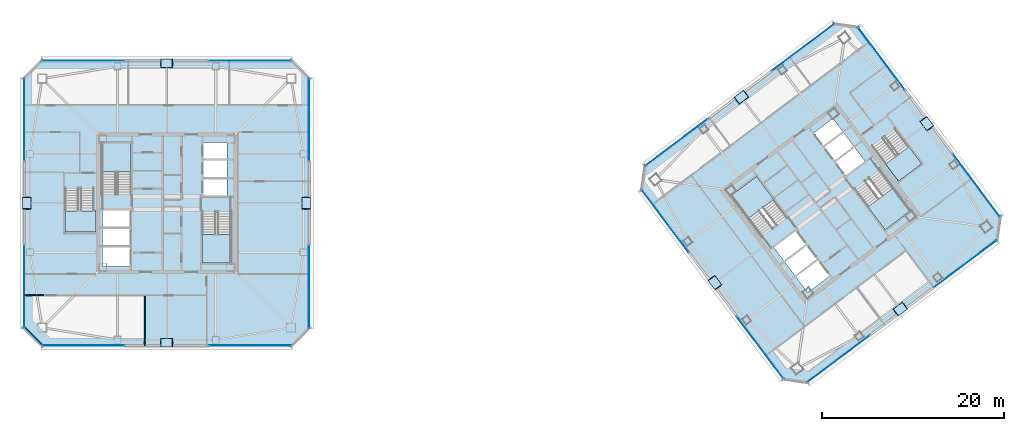
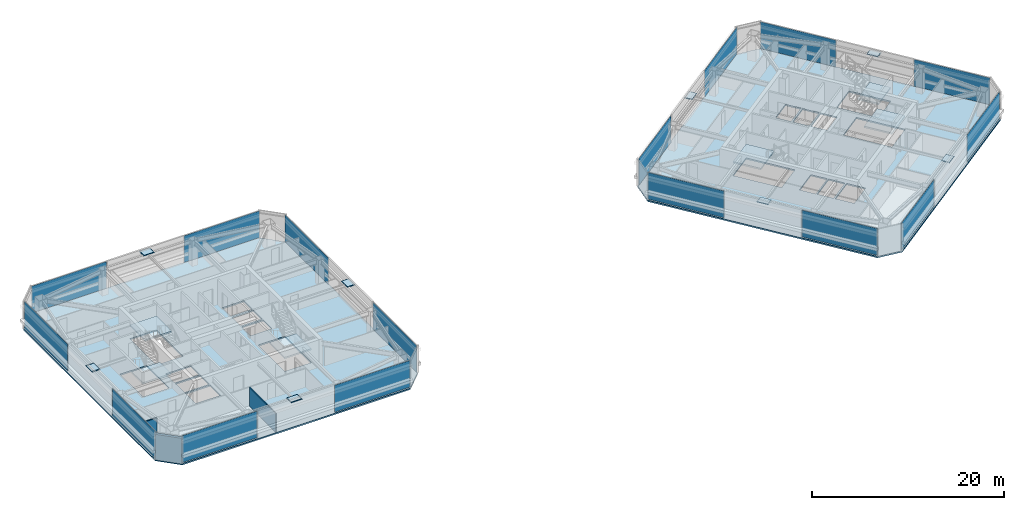
# One storey, part 28 of 39: 32 plates, 8 slabs, 3 walls, 22 elements without a shape of their own.
"""IFC4 building model written with IfcOpenShell, lengths in metres."""

from ifc_helpers import new_model, si_unit, direction, frame, frame_2d, origin, origin_2d, place, context, subcontext, project, spatial, polyline, rectangle, outline, extrude, material, layer, layer_set, type_object, element, aggregate, save


model = new_model("IFC4")

# Units and contexts
model_context = context("Model", 3, precision=1e-05, world=origin(), true_north=direction((0.0, 1.0)))
body_context = subcontext(model_context, "Body", "Model", "MODEL_VIEW")
ifc_project = project(units=[si_unit("LENGTHUNIT", "METRE"), si_unit("AREAUNIT", "SQUARE_METRE"), si_unit("VOLUMEUNIT", "CUBIC_METRE"), si_unit("PLANEANGLEUNIT", "RADIAN"), si_unit("MASSUNIT", "GRAM", prefix="KILO")], contexts=[model_context])

# Site, building, storey
site_placement = place(None, origin())
site = spatial("IfcSite", under=ifc_project, at=site_placement, CompositionType="ELEMENT")
building_placement = place(site_placement, origin())
building = spatial("IfcBuilding", under=site, at=building_placement, Name="Tashvorn Skyway Center", CompositionType="ELEMENT")
storey_placement = place(building_placement, frame((0.0, 0.0, 243.25)))
storey = spatial("IfcBuildingStorey", under=building, at=storey_placement, Name="L66", CompositionType="ELEMENT", Elevation=243.25)

# Curtain wall, plate
ifc_material_1 = material(Name="Thermally broken bronze-anodized aluminium 6063-T6", Category="aluminium")
curtain_wall_type = type_object("IfcCurtainWallType", Name="CW-CW-Z5", PredefinedType="NOTDEFINED", material=ifc_material_1)
curtain_wall_1_placement = place(storey_placement, origin())
curtain_wall_1 = element("IfcCurtainWall", 1, at=curtain_wall_1_placement, inside=storey, type_object=curtain_wall_type, Name="Tower 1 L66 South Unitised Curtain Wall Glazing Group 1", PredefinedType="NOTDEFINED")
ifc_material_2 = material(Name="Low-E solar-control double insulating safety glass", Category="glass")
ifc_layer_1 = layer(ifc_material_2, 0.031982421875)
ifc_layer_set_1 = layer_set([ifc_layer_1], Name="Low-E solar-control double insulating safety glass")
plate_type_1 = type_object("IfcPlateType", Name="CWP-CW-Z5", PredefinedType="CURTAIN_PANEL", material=ifc_layer_set_1)
plate_1_placement = place(storey_placement, frame((51.186767578125, 16.320068359375, 0.06982421875), z_axis=(0.0, 0.0, 1.0), x_axis=(-1.0, 0.0, 0.0)))
plate_1 = element("IfcPlate", 2, at=plate_1_placement, type_object=plate_type_1, Name="CW-Z5 panel 1.1", PredefinedType="CURTAIN_PANEL", context=body_context, shape_type="SweptSolid", body=[
    extrude(rectangle(XDim=9.046630859375, YDim=0.031982421875, at=origin_2d()), origin(), (0.0, 0.0, 1.0), 3.409912109375),
])
aggregate(curtain_wall_1, [plate_1])

curtain_wall_2_placement = place(storey_placement, origin())
curtain_wall_2 = element("IfcCurtainWall", 3, at=curtain_wall_2_placement, inside=storey, type_object=curtain_wall_type, Name="Tower 1 L66 South Unitised Curtain Wall Glazing Group 2", PredefinedType="NOTDEFINED")
plate_2_placement = place(storey_placement, frame((32.813232421875, 16.320068359375, 0.06982421875), z_axis=(0.0, 0.0, 1.0), x_axis=(-1.0, 0.0, 0.0)))
plate_2 = element("IfcPlate", 4, at=plate_2_placement, type_object=plate_type_1, Name="CW-Z5 panel 1.1", PredefinedType="CURTAIN_PANEL", context=body_context, shape_type="SweptSolid", body=[
    extrude(rectangle(XDim=9.046630859375, YDim=0.031982421875, at=origin_2d()), origin(), (0.0, 0.0, 1.0), 3.409912109375),
])
aggregate(curtain_wall_2, [plate_2])

curtain_wall_3_placement = place(storey_placement, origin())
curtain_wall_3 = element("IfcCurtainWall", 5, at=curtain_wall_3_placement, inside=storey, type_object=curtain_wall_type, Name="Tower 1 L66 West Unitised Curtain Wall Glazing Group 1", PredefinedType="NOTDEFINED")
plate_3_placement = place(storey_placement, frame((26.320068359375, 22.813232421875, 0.06982421875), z_axis=(0.0, 0.0, 1.0), x_axis=(0.0, 1.0, 0.0)))
plate_3 = element("IfcPlate", 6, at=plate_3_placement, type_object=plate_type_1, Name="CW-Z5 panel 1.1", PredefinedType="CURTAIN_PANEL", context=body_context, shape_type="SweptSolid", body=[
    extrude(rectangle(XDim=9.046630859375, YDim=0.031982421875, at=origin_2d()), origin(), (0.0, 0.0, 1.0), 3.409912109375),
])
aggregate(curtain_wall_3, [plate_3])

curtain_wall_4_placement = place(storey_placement, origin())
curtain_wall_4 = element("IfcCurtainWall", 7, at=curtain_wall_4_placement, inside=storey, type_object=curtain_wall_type, Name="Tower 1 L66 West Unitised Curtain Wall Glazing Group 2", PredefinedType="NOTDEFINED")
plate_4_placement = place(storey_placement, frame((26.320068359375, 41.186767578125, 0.06982421875), z_axis=(0.0, 0.0, 1.0), x_axis=(0.0, 1.0, 0.0)))
plate_4 = element("IfcPlate", 8, at=plate_4_placement, type_object=plate_type_1, Name="CW-Z5 panel 1.1", PredefinedType="CURTAIN_PANEL", context=body_context, shape_type="SweptSolid", body=[
    extrude(rectangle(XDim=9.046630859375, YDim=0.031982421875, at=origin_2d()), origin(), (0.0, 0.0, 1.0), 3.409912109375),
])
aggregate(curtain_wall_4, [plate_4])

curtain_wall_5_placement = place(storey_placement, origin())
curtain_wall_5 = element("IfcCurtainWall", 9, at=curtain_wall_5_placement, inside=storey, type_object=curtain_wall_type, Name="Tower 1 L66 North Unitised Curtain Wall Glazing Group 1", PredefinedType="NOTDEFINED")
plate_5_placement = place(storey_placement, frame((32.813232421875, 47.679931640625, 0.06982421875), z_axis=(0.0, 0.0, 1.0), x_axis=(1.0, 0.0, 0.0)))
plate_5 = element("IfcPlate", 10, at=plate_5_placement, type_object=plate_type_1, Name="CW-Z5 panel 1.1", PredefinedType="CURTAIN_PANEL", context=body_context, shape_type="SweptSolid", body=[
    extrude(rectangle(XDim=9.046630859375, YDim=0.031982421875, at=origin_2d()), origin(), (0.0, 0.0, 1.0), 3.409912109375),
])
aggregate(curtain_wall_5, [plate_5])

curtain_wall_6_placement = place(storey_placement, origin())
curtain_wall_6 = element("IfcCurtainWall", 11, at=curtain_wall_6_placement, inside=storey, type_object=curtain_wall_type, Name="Tower 1 L66 North Unitised Curtain Wall Glazing Group 2", PredefinedType="NOTDEFINED")
plate_6_placement = place(storey_placement, frame((51.186767578125, 47.679931640625, 0.06982421875), z_axis=(0.0, 0.0, 1.0), x_axis=(1.0, 0.0, 0.0)))
plate_6 = element("IfcPlate", 12, at=plate_6_placement, type_object=plate_type_1, Name="CW-Z5 panel 1.1", PredefinedType="CURTAIN_PANEL", context=body_context, shape_type="SweptSolid", body=[
    extrude(rectangle(XDim=9.046630859375, YDim=0.031982421875, at=origin_2d()), origin(), (0.0, 0.0, 1.0), 3.409912109375),
])
aggregate(curtain_wall_6, [plate_6])

curtain_wall_7_placement = place(storey_placement, origin())
curtain_wall_7 = element("IfcCurtainWall", 13, at=curtain_wall_7_placement, inside=storey, type_object=curtain_wall_type, Name="Tower 1 L66 East Unitised Curtain Wall Glazing Group 1", PredefinedType="NOTDEFINED")
plate_7_placement = place(storey_placement, frame((57.679931640625, 41.186767578125, 0.06982421875), z_axis=(0.0, 0.0, 1.0), x_axis=(0.0, -1.0, 0.0)))
plate_7 = element("IfcPlate", 14, at=plate_7_placement, type_object=plate_type_1, Name="CW-Z5 panel 1.1", PredefinedType="CURTAIN_PANEL", context=body_context, shape_type="SweptSolid", body=[
    extrude(rectangle(XDim=9.046630859375, YDim=0.031982421875, at=origin_2d()), origin(), (0.0, 0.0, 1.0), 3.409912109375),
])
aggregate(curtain_wall_7, [plate_7])

curtain_wall_8_placement = place(storey_placement, origin())
curtain_wall_8 = element("IfcCurtainWall", 15, at=curtain_wall_8_placement, inside=storey, type_object=curtain_wall_type, Name="Tower 1 L66 East Unitised Curtain Wall Glazing Group 2", PredefinedType="NOTDEFINED")
plate_8_placement = place(storey_placement, frame((57.679931640625, 22.813232421875, 0.06982421875), z_axis=(0.0, 0.0, 1.0), x_axis=(0.0, -1.0, 0.0)))
plate_8 = element("IfcPlate", 16, at=plate_8_placement, type_object=plate_type_1, Name="CW-Z5 panel 1.1", PredefinedType="CURTAIN_PANEL", context=body_context, shape_type="SweptSolid", body=[
    extrude(rectangle(XDim=9.046630859375, YDim=0.031982421875, at=origin_2d()), origin(), (0.0, 0.0, 1.0), 3.409912109375),
])
aggregate(curtain_wall_8, [plate_8])

curtain_wall_9_placement = place(storey_placement, origin())
curtain_wall_9 = element("IfcCurtainWall", 17, at=curtain_wall_9_placement, inside=storey, type_object=curtain_wall_type, Name="Tower 2 L66 South Unitised Curtain Wall Glazing Group 1", PredefinedType="NOTDEFINED")
plate_9_placement = place(storey_placement, frame((129.904052734375, 25.327880859375, 0.06982421875), z_axis=(0.0, 0.0, 1.0), x_axis=(-0.799999999998, -0.600000000002, 0.0)))
plate_9 = element("IfcPlate", 18, at=plate_9_placement, type_object=plate_type_1, Name="CW-Z5 panel 1.1", PredefinedType="CURTAIN_PANEL", context=body_context, shape_type="SweptSolid", body=[
    extrude(rectangle(XDim=8.580078125, YDim=0.031982421875, at=origin_2d()), origin(), (0.0, 0.0, 1.0), 3.409912109375),
])
aggregate(curtain_wall_9, [plate_9])

curtain_wall_10_placement = place(storey_placement, origin())
curtain_wall_10 = element("IfcCurtainWall", 19, at=curtain_wall_10_placement, inside=storey, type_object=curtain_wall_type, Name="Tower 2 L66 South Unitised Curtain Wall Glazing Group 2", PredefinedType="NOTDEFINED")
plate_10_placement = place(storey_placement, frame((115.951904296875, 14.864013671875, 0.06982421875), z_axis=(0.0, 0.0, 1.0), x_axis=(-0.799999999998, -0.600000000002, 0.0)))
plate_10 = element("IfcPlate", 20, at=plate_10_placement, type_object=plate_type_1, Name="CW-Z5 panel 1.1", PredefinedType="CURTAIN_PANEL", context=body_context, shape_type="SweptSolid", body=[
    extrude(rectangle(XDim=8.580078125, YDim=0.031982421875, at=origin_2d()), origin(), (0.0, 0.0, 1.0), 3.409912109375),
])
aggregate(curtain_wall_10, [plate_10])

curtain_wall_11_placement = place(storey_placement, origin())
curtain_wall_11 = element("IfcCurtainWall", 21, at=curtain_wall_11_placement, inside=storey, type_object=curtain_wall_type, Name="Tower 2 L66 West Unitised Curtain Wall Glazing Group 1", PredefinedType="NOTDEFINED")
plate_11_placement = place(storey_placement, frame((107.327880859375, 16.095947265625, 0.06982421875), z_axis=(0.0, 0.0, 1.0), x_axis=(-0.600000000002, 0.799999999998, 0.0)))
plate_11 = element("IfcPlate", 22, at=plate_11_placement, type_object=plate_type_1, Name="CW-Z5 panel 1.1", PredefinedType="CURTAIN_PANEL", context=body_context, shape_type="SweptSolid", body=[
    extrude(rectangle(XDim=8.580078125, YDim=0.031982421875, at=origin_2d()), origin(), (0.0, 0.0, 1.0), 3.409912109375),
])
aggregate(curtain_wall_11, [plate_11])

curtain_wall_12_placement = place(storey_placement, origin())
curtain_wall_12 = element("IfcCurtainWall", 23, at=curtain_wall_12_placement, inside=storey, type_object=curtain_wall_type, Name="Tower 2 L66 West Unitised Curtain Wall Glazing Group 2", PredefinedType="NOTDEFINED")
plate_12_placement = place(storey_placement, frame((96.864013671875, 30.048095703125, 0.06982421875), z_axis=(0.0, 0.0, 1.0), x_axis=(-0.600000000002, 0.799999999998, 0.0)))
plate_12 = element("IfcPlate", 24, at=plate_12_placement, type_object=plate_type_1, Name="CW-Z5 panel 1.1", PredefinedType="CURTAIN_PANEL", context=body_context, shape_type="SweptSolid", body=[
    extrude(rectangle(XDim=8.580078125, YDim=0.031982421875, at=origin_2d()), origin(), (0.0, 0.0, 1.0), 3.409912109375),
])
aggregate(curtain_wall_12, [plate_12])

curtain_wall_13_placement = place(storey_placement, origin())
curtain_wall_13 = element("IfcCurtainWall", 25, at=curtain_wall_13_placement, inside=storey, type_object=curtain_wall_type, Name="Tower 2 L66 North Unitised Curtain Wall Glazing Group 1", PredefinedType="NOTDEFINED")
plate_13_placement = place(storey_placement, frame((98.095947265625, 38.672119140625, 0.06982421875), z_axis=(0.0, 0.0, 1.0), x_axis=(0.799999999998, 0.600000000002, 0.0)))
plate_13 = element("IfcPlate", 26, at=plate_13_placement, type_object=plate_type_1, Name="CW-Z5 panel 1.1", PredefinedType="CURTAIN_PANEL", context=body_context, shape_type="SweptSolid", body=[
    extrude(rectangle(XDim=8.580078125, YDim=0.031982421875, at=origin_2d()), origin(), (0.0, 0.0, 1.0), 3.409912109375),
])
aggregate(curtain_wall_13, [plate_13])

curtain_wall_14_placement = place(storey_placement, origin())
curtain_wall_14 = element("IfcCurtainWall", 27, at=curtain_wall_14_placement, inside=storey, type_object=curtain_wall_type, Name="Tower 2 L66 North Unitised Curtain Wall Glazing Group 2", PredefinedType="NOTDEFINED")
plate_14_placement = place(storey_placement, frame((112.048095703125, 49.135986328125, 0.06982421875), z_axis=(0.0, 0.0, 1.0), x_axis=(0.799999999998, 0.600000000002, 0.0)))
plate_14 = element("IfcPlate", 28, at=plate_14_placement, type_object=plate_type_1, Name="CW-Z5 panel 1.1", PredefinedType="CURTAIN_PANEL", context=body_context, shape_type="SweptSolid", body=[
    extrude(rectangle(XDim=8.580078125, YDim=0.031982421875, at=origin_2d()), origin(), (0.0, 0.0, 1.0), 3.409912109375),
])
aggregate(curtain_wall_14, [plate_14])

curtain_wall_15_placement = place(storey_placement, origin())
curtain_wall_15 = element("IfcCurtainWall", 29, at=curtain_wall_15_placement, inside=storey, type_object=curtain_wall_type, Name="Tower 2 L66 East Unitised Curtain Wall Glazing Group 1", PredefinedType="NOTDEFINED")
plate_15_placement = place(storey_placement, frame((120.672119140625, 47.904052734375, 0.06982421875), z_axis=(0.0, 0.0, 1.0), x_axis=(0.600000000002, -0.799999999998, 0.0)))
plate_15 = element("IfcPlate", 30, at=plate_15_placement, type_object=plate_type_1, Name="CW-Z5 panel 1.1", PredefinedType="CURTAIN_PANEL", context=body_context, shape_type="SweptSolid", body=[
    extrude(rectangle(XDim=8.580078125, YDim=0.031982421875, at=origin_2d()), origin(), (0.0, 0.0, 1.0), 3.409912109375),
])
aggregate(curtain_wall_15, [plate_15])

curtain_wall_16_placement = place(storey_placement, origin())
curtain_wall_16 = element("IfcCurtainWall", 31, at=curtain_wall_16_placement, inside=storey, type_object=curtain_wall_type, Name="Tower 2 L66 East Unitised Curtain Wall Glazing Group 2", PredefinedType="NOTDEFINED")
plate_16_placement = place(storey_placement, frame((131.135986328125, 33.951904296875, 0.06982421875), z_axis=(0.0, 0.0, 1.0), x_axis=(0.600000000002, -0.799999999998, 0.0)))
plate_16 = element("IfcPlate", 32, at=plate_16_placement, type_object=plate_type_1, Name="CW-Z5 panel 1.1", PredefinedType="CURTAIN_PANEL", context=body_context, shape_type="SweptSolid", body=[
    extrude(rectangle(XDim=8.580078125, YDim=0.031982421875, at=origin_2d()), origin(), (0.0, 0.0, 1.0), 3.409912109375),
])
aggregate(curtain_wall_16, [plate_16])

# Plates
ifc_material_3 = material(Name="Steel ASTM A572 Grade 50", Category="steel")
ifc_layer_2 = layer(ifc_material_3, 0.034912109375)
ifc_layer_set_2 = layer_set([ifc_layer_2], Name="Steel ASTM A572 Grade 50")
plate_type_2 = type_object("IfcPlateType", Name="PLT-CAP-35", PredefinedType="USERDEFINED", material=ifc_layer_set_2)
for number, where, z_axis, x_axis, name in (
    (33, (42.0, 16.6201171875, 3.2373046875), (0.0, 0.0, 1.0), (1.0, 0.0, 0.0), "Tower 1 Zone 6 S Hollow-Section End Cap Plate"),
    (34, (57.3798828125, 32.0, 3.2373046875), (0.0, 0.0, 1.0), (0.0, 1.0, 0.0), "Tower 1 Zone 6 E Hollow-Section End Cap Plate"),
    (35, (42.0, 47.3798828125, 3.2373046875), (0.0, 0.0, 1.0), (-1.0, 0.0, 0.0), "Tower 1 Zone 6 N Hollow-Section End Cap Plate"),
    (36, (26.6201171875, 32.0, 3.2373046875), (0.0, 0.0, 1.0), (0.0, -1.0, 0.0), "Tower 1 Zone 6 W Hollow-Section End Cap Plate"),
    (37, (122.748046875, 20.3359375, 3.2373046875), (0.0, 0.0, 1.0), (0.799999996291, 0.600000004945, 0.0), "Tower 2 Zone 6 S Hollow-Section End Cap Plate"),
    (38, (125.6640625, 40.748046875, 3.2373046875), (0.0, 0.0, 1.0), (-0.600000004945, 0.799999996291, 0.0), "Tower 2 Zone 6 E Hollow-Section End Cap Plate"),
    (39, (105.251953125, 43.6640625, 3.2373046875), (0.0, 0.0, 1.0), (-0.799999996291, -0.600000004945, 0.0), "Tower 2 Zone 6 N Hollow-Section End Cap Plate"),
    (40, (102.3359375, 23.251953125, 3.2373046875), (0.0, 0.0, 1.0), (0.600000004945, -0.799999996291, 0.0), "Tower 2 Zone 6 W Hollow-Section End Cap Plate"),
):
    element("IfcPlate", number, at=place(storey_placement, frame(where, z_axis=z_axis, x_axis=x_axis)), inside=storey, type_object=plate_type_2, Name=name, ObjectType="END PLATE", PredefinedType="USERDEFINED", context=body_context, shape_type="SweptSolid", body=[
        extrude(rectangle(XDim=1.199951171875, YDim=0.919921875, at=origin_2d()), origin(), (0.0, 0.0, 1.0), 0.034912109375),
    ])
ifc_layer_3 = layer(ifc_material_3, 0.044921875)
ifc_layer_set_3 = layer_set([ifc_layer_3], Name="Steel ASTM A572 Grade 50")
plate_type_3 = type_object("IfcPlateType", Name="PLT-GUSSET-45", PredefinedType="USERDEFINED", material=ifc_layer_set_3)
for number, where, z_axis, x_axis, name in (
    (41, (42.0, 16.6201171875, 3.192626953125), (0.0, 0.0, 1.0), (1.0, 0.0, 0.0), "Tower 1 Zone 6 S Apex Node Gusset Plate"),
    (42, (57.3798828125, 32.0, 3.192626953125), (0.0, 0.0, 1.0), (0.0, 1.0, 0.0), "Tower 1 Zone 6 E Apex Node Gusset Plate"),
    (43, (42.0, 47.3798828125, 3.192626953125), (0.0, 0.0, 1.0), (-1.0, 0.0, 0.0), "Tower 1 Zone 6 N Apex Node Gusset Plate"),
    (44, (26.6201171875, 32.0, 3.192626953125), (0.0, 0.0, 1.0), (0.0, -1.0, 0.0), "Tower 1 Zone 6 W Apex Node Gusset Plate"),
    (45, (122.748046875, 20.3359375, 3.192626953125), (0.0, 0.0, 1.0), (0.799999996291, 0.600000004945, 0.0), "Tower 2 Zone 6 S Apex Node Gusset Plate"),
    (46, (125.6640625, 40.748046875, 3.192626953125), (0.0, 0.0, 1.0), (-0.600000004945, 0.799999996291, 0.0), "Tower 2 Zone 6 E Apex Node Gusset Plate"),
    (47, (105.251953125, 43.6640625, 3.192626953125), (0.0, 0.0, 1.0), (-0.799999996291, -0.600000004945, 0.0), "Tower 2 Zone 6 N Apex Node Gusset Plate"),
    (48, (102.3359375, 23.251953125, 3.192626953125), (0.0, 0.0, 1.0), (0.600000004945, -0.799999996291, 0.0), "Tower 2 Zone 6 W Apex Node Gusset Plate"),
):
    element("IfcPlate", number, at=place(storey_placement, frame(where, z_axis=z_axis, x_axis=x_axis)), inside=storey, type_object=plate_type_3, Name=name, ObjectType="GUSSET PLATE", PredefinedType="USERDEFINED", context=body_context, shape_type="SweptSolid", body=[
        extrude(rectangle(XDim=1.35009765625, YDim=0.949951171875, at=origin_2d()), origin(), (0.0, 0.0, 1.0), 0.044921875),
    ])

# Slabs
ifc_material_4 = material(Name="Concrete C40/50", Category="concrete")
ifc_layer_4 = layer(ifc_material_4, 0.179931640625)
ifc_layer_set_4 = layer_set([ifc_layer_4], Name="Concrete C40/50")
slab_type_1 = type_object("IfcSlabType", Name="SLAB-FLR-180", PredefinedType="FLOOR", material=ifc_layer_set_4)
slab_1_placement = place(storey_placement, frame((0.0, 0.0, -0.179931640625)))
element("IfcSlab", 49, at=slab_1_placement, inside=storey, type_object=slab_type_1, Name="Tower 1 L66 Composite Floor Slab", PredefinedType="FLOOR", context=body_context, shape_type="SweptSolid", body=[
    extrude(outline(polyline([(28.300048828125, 16.199951171875), (55.699951171875, 16.199951171875), (57.800048828125, 18.300048828125), (57.800048828125, 45.699951171875), (55.699951171875, 47.800048828125), (28.300048828125, 47.800048828125), (26.199951171875, 45.699951171875), (26.199951171875, 18.300048828125), (28.300048828125, 16.199951171875)]), holes=[polyline([(38.10009765625, 33.080078125), (38.10009765625, 38.60009765625), (34.89990234375, 38.60009765625), (34.89990234375, 33.080078125), (38.10009765625, 33.080078125)]), polyline([(45.89990234375, 30.919921875), (45.89990234375, 25.39990234375), (49.10009765625, 25.39990234375), (49.10009765625, 30.919921875), (45.89990234375, 30.919921875)]), polyline([(30.800048828125, 33.52001953125), (30.800048828125, 28.800048828125), (34.0, 28.800048828125), (34.0, 33.52001953125), (30.800048828125, 33.52001953125)]), polyline([(34.949951171875, 29.35009765625), (37.949951171875, 29.35009765625), (37.949951171875, 31.199951171875), (34.949951171875, 31.199951171875), (34.949951171875, 29.35009765625)]), polyline([(34.949951171875, 27.35009765625), (37.949951171875, 27.35009765625), (37.949951171875, 29.199951171875), (34.949951171875, 29.199951171875), (34.949951171875, 27.35009765625)]), polyline([(34.949951171875, 25.0), (37.949951171875, 25.0), (37.949951171875, 27.14990234375), (34.949951171875, 27.14990234375), (34.949951171875, 25.0)]), polyline([(46.050048828125, 32.800048828125), (48.64990234375, 32.800048828125), (48.64990234375, 34.64990234375), (46.050048828125, 34.64990234375), (46.050048828125, 32.800048828125)]), polyline([(46.050048828125, 34.85009765625), (48.64990234375, 34.85009765625), (48.64990234375, 36.699951171875), (46.050048828125, 36.699951171875), (46.050048828125, 34.85009765625)]), polyline([(46.050048828125, 36.89990234375), (48.64990234375, 36.89990234375), (48.64990234375, 38.64990234375), (46.050048828125, 38.64990234375), (46.050048828125, 36.89990234375)])]), origin(), (0.0, 0.0, 1.0), 0.179931640625),
])
slab_2_placement = place(storey_placement, frame((0.0, 0.0, -0.179931640625)))
element("IfcSlab", 50, at=slab_2_placement, inside=storey, type_object=slab_type_1, Name="Tower 2 L66 Composite Floor Slab", PredefinedType="FLOOR", context=body_context, shape_type="SweptSolid", body=[
    extrude(outline(polyline([(112.60009765625, 12.199951171875), (133.39990234375, 27.800048828125), (133.800048828125, 30.60009765625), (118.199951171875, 51.39990234375), (115.39990234375, 51.800048828125), (94.60009765625, 36.199951171875), (94.199951171875, 33.39990234375), (109.800048828125, 12.60009765625), (112.60009765625, 12.199951171875)]), holes=[polyline([(110.23193359375, 30.52392578125), (106.919921875, 34.93994140625), (104.135986328125, 32.85205078125), (107.447998046875, 28.43603515625), (110.23193359375, 30.52392578125)]), polyline([(117.76806640625, 33.47607421875), (121.080078125, 29.06005859375), (123.864013671875, 31.14794921875), (120.552001953125, 35.56396484375), (117.76806640625, 33.47607421875)]), polyline([(119.7119140625, 38.18408203125), (122.5439453125, 34.407958984375), (125.10400390625, 36.327880859375), (122.27197265625, 40.10400390625), (119.7119140625, 38.18408203125)]), polyline([(109.949951171875, 25.64990234375), (112.35009765625, 27.449951171875), (111.239990234375, 28.929931640625), (108.840087890625, 27.1298828125), (109.949951171875, 25.64990234375)]), polyline([(111.14990234375, 24.050048828125), (113.550048828125, 25.85009765625), (112.43994140625, 27.330078125), (110.0400390625, 25.530029296875), (111.14990234375, 24.050048828125)]), polyline([(112.56005859375, 22.169921875), (114.9599609375, 23.969970703125), (113.669921875, 25.68994140625), (111.27001953125, 23.889892578125), (112.56005859375, 22.169921875)]), polyline([(116.760009765625, 35.070068359375), (118.840087890625, 36.6298828125), (117.72998046875, 38.110107421875), (115.64990234375, 36.550048828125), (116.760009765625, 35.070068359375)]), polyline([(115.530029296875, 36.7099609375), (117.610107421875, 38.27001953125), (116.5, 39.75), (114.419921875, 38.18994140625), (115.530029296875, 36.7099609375)]), polyline([(114.300048828125, 38.35009765625), (116.3798828125, 39.909912109375), (115.330078125, 41.31005859375), (113.25, 39.75), (114.300048828125, 38.35009765625)])]), origin(), (0.0, 0.0, 1.0), 0.179931640625),
])

# Stair, slab
stair_type = type_object("IfcStairType", Name="STAIR-CORE-1500", PredefinedType="HALF_TURN_STAIR", material=ifc_material_4)
stair_1_placement = place(storey_placement, origin())
stair_1 = element("IfcStair", 51, at=stair_1_placement, inside=storey, type_object=stair_type, Name="L66 Tower 1 Exit Stair 1", PredefinedType="HALF_TURN_STAIR")
ifc_layer_5 = layer(ifc_material_4, 0.199951171875)
ifc_layer_set_5 = layer_set([ifc_layer_5], Name="Concrete C40/50")
slab_type_2 = type_object("IfcSlabType", Name="SLAB-LAND-200", PredefinedType="LANDING", material=ifc_layer_set_5)
slab_3_placement = place(storey_placement, frame((0.0, 0.0, 1.574951171875)))
slab_3 = element("IfcSlab", 52, at=slab_3_placement, type_object=slab_type_2, Name="ST-T1-1 landing 1", PredefinedType="LANDING", context=body_context, shape_type="SweptSolid", body=[
    extrude(outline(polyline([(38.10009765625, 35.43994140625), (38.10009765625, 38.60009765625), (34.89990234375, 38.60009765625), (34.89990234375, 35.43994140625), (38.10009765625, 35.43994140625)])), origin(), (0.0, 0.0, 1.0), 0.199951171875),
])
aggregate(stair_1, [slab_3])

stair_2_placement = place(storey_placement, origin())
stair_2 = element("IfcStair", 53, at=stair_2_placement, inside=storey, type_object=stair_type, Name="L66 Tower 1 Exit Stair 2", PredefinedType="HALF_TURN_STAIR")
slab_4_placement = place(storey_placement, frame((0.0, 0.0, 1.574951171875)))
slab_4 = element("IfcSlab", 54, at=slab_4_placement, type_object=slab_type_2, Name="ST-T1-2 landing 1", PredefinedType="LANDING", context=body_context, shape_type="SweptSolid", body=[
    extrude(outline(polyline([(45.89990234375, 28.56005859375), (45.89990234375, 25.39990234375), (49.10009765625, 25.39990234375), (49.10009765625, 28.56005859375), (45.89990234375, 28.56005859375)])), origin(), (0.0, 0.0, 1.0), 0.199951171875),
])
aggregate(stair_2, [slab_4])

stair_3_placement = place(storey_placement, origin())
stair_3 = element("IfcStair", 55, at=stair_3_placement, inside=storey, type_object=stair_type, Name="L66 Tower 2 Exit Stair 1", PredefinedType="HALF_TURN_STAIR")
slab_5_placement = place(storey_placement, frame((0.0, 0.0, 1.574951171875)))
slab_5 = element("IfcSlab", 56, at=slab_5_placement, type_object=slab_type_2, Name="ST-T2-1 landing 1", PredefinedType="LANDING", context=body_context, shape_type="SweptSolid", body=[
    extrude(outline(polyline([(108.82080078125, 32.405517578125), (106.919921875, 34.93994140625), (104.135986328125, 32.85205078125), (106.036865234375, 30.317626953125), (108.82080078125, 32.405517578125)])), origin(), (0.0, 0.0, 1.0), 0.199951171875),
])
aggregate(stair_3, [slab_5])

stair_4_placement = place(storey_placement, origin())
stair_4 = element("IfcStair", 57, at=stair_4_placement, inside=storey, type_object=stair_type, Name="L66 Tower 2 Exit Stair 2", PredefinedType="HALF_TURN_STAIR")
slab_6_placement = place(storey_placement, frame((0.0, 0.0, 1.574951171875)))
slab_6 = element("IfcSlab", 58, at=slab_6_placement, type_object=slab_type_2, Name="ST-T2-2 landing 1", PredefinedType="LANDING", context=body_context, shape_type="SweptSolid", body=[
    extrude(outline(polyline([(119.17919921875, 31.594482421875), (121.080078125, 29.06005859375), (123.864013671875, 31.14794921875), (121.963134765625, 33.682373046875), (119.17919921875, 31.594482421875)])), origin(), (0.0, 0.0, 1.0), 0.199951171875),
])
aggregate(stair_4, [slab_6])

stair_5_placement = place(storey_placement, origin())
stair_5 = element("IfcStair", 59, at=stair_5_placement, inside=storey, type_object=stair_type, Name="L66 Tower 1 Exit Stair 3", PredefinedType="HALF_TURN_STAIR")
slab_7_placement = place(storey_placement, frame((0.0, 0.0, 1.574951171875)))
slab_7 = element("IfcSlab", 60, at=slab_7_placement, type_object=slab_type_2, Name="ST-T1-3 landing 1", PredefinedType="LANDING", context=body_context, shape_type="SweptSolid", body=[
    extrude(outline(polyline([(30.800048828125, 31.159912109375), (30.800048828125, 28.800048828125), (34.199951171875, 28.800048828125), (34.199951171875, 31.159912109375), (30.800048828125, 31.159912109375)])), origin(), (0.0, 0.0, 1.0), 0.199951171875),
])
aggregate(stair_5, [slab_7])

stair_6_placement = place(storey_placement, origin())
stair_6 = element("IfcStair", 61, at=stair_6_placement, inside=storey, type_object=stair_type, Name="L66 Tower 2 Exit Stair 3", PredefinedType="HALF_TURN_STAIR")
slab_8_placement = place(storey_placement, frame((0.0, 0.0, 1.574951171875)))
slab_8 = element("IfcSlab", 62, at=slab_8_placement, type_object=slab_type_2, Name="ST-T2-3 landing 1", PredefinedType="LANDING", context=body_context, shape_type="SweptSolid", body=[
    extrude(outline(polyline([(121.123291015625, 36.302490234375), (122.5439453125, 34.407958984375), (125.10400390625, 36.327880859375), (123.68310546875, 38.222412109375), (121.123291015625, 36.302490234375)])), origin(), (0.0, 0.0, 1.0), 0.199951171875),
])
aggregate(stair_6, [slab_8])

# Walls
ifc_material_5 = material(Name="Precast concrete C40/50", Category="concrete")
ifc_layer_6 = layer(ifc_material_5, 0.280029296875)
ifc_layer_set_6 = layer_set([ifc_layer_6], Name="Precast concrete C40/50")
wall_type_1 = type_object("IfcWallType", Name="WALL-EXT-280", PredefinedType="SOLIDWALL", material=ifc_layer_set_6)
wall_1_placement = place(storey_placement, frame((28.300048828125, 16.300048828125, 0.0), z_axis=(0.0, 0.0, 1.0), x_axis=(-0.707106781187, 0.707106781187, 0.0)))
element("IfcWall", 63, at=wall_1_placement, inside=storey, type_object=wall_type_1, Name="Tower 1 L66 SW Precast Chamfer Wall", PredefinedType="SOLIDWALL", context=body_context, shape_type="SweptSolid", body=[
    extrude(rectangle(XDim=2.828369140625, YDim=0.280029296875, at=frame_2d((1.4140625, 0.0))), origin(), (0.0, 0.0, 1.0), 3.25),
])
ifc_material_6 = material(Name="Gypsum board on cold-formed steel stud framing", Category="steel")
ifc_layer_7 = layer(ifc_material_6, 0.110107421875)
ifc_layer_set_7 = layer_set([ifc_layer_7], Name="Gypsum board on cold-formed steel stud framing")
wall_type_2 = type_object("IfcWallType", Name="WALL-PART-110", PredefinedType="PARTITIONING", material=ifc_layer_set_7)
wall_2_placement = place(storey_placement, frame((39.60009765625, 16.320068359375, 0.0), z_axis=(0.0, 0.0, 1.0), x_axis=(0.0, 1.0, 0.0)))
element("IfcWall", 64, at=wall_2_placement, inside=storey, type_object=wall_type_2, Name="Tower 1 L66 South Suite Partition 1", PredefinedType="PARTITIONING", context=body_context, shape_type="SweptSolid", body=[
    extrude(rectangle(XDim=5.449951171875, YDim=0.110107421875, at=frame_2d((2.72509765625, 0.0))), origin(), (0.0, 0.0, 1.0), 2.39306640625),
])
ifc_layer_8 = layer(ifc_material_6, 0.135009765625)
ifc_layer_set_8 = layer_set([ifc_layer_8], Name="Gypsum board on cold-formed steel stud framing")
wall_type_3 = type_object("IfcWallType", Name="WALL-PART-135", PredefinedType="PARTITIONING", material=ifc_layer_set_8)
wall_3_placement = place(storey_placement, frame((26.320068359375, 21.85009765625, 0.0), z_axis=(0.0, 0.0, 1.0), x_axis=(1.0, 0.0, 0.0)))
element("IfcWall", 65, at=wall_3_placement, inside=storey, type_object=wall_type_3, Name="Tower 1 L66 South-West Suite North Wall", PredefinedType="PARTITIONING", context=body_context, shape_type="SweptSolid", body=[
    extrude(rectangle(XDim=2.1298828125, YDim=0.135009765625, at=frame_2d((1.06494140625, 0.0))), origin(), (0.0, 0.0, 1.0), 2.39306640625),
])

save(model, "model.ifc")
